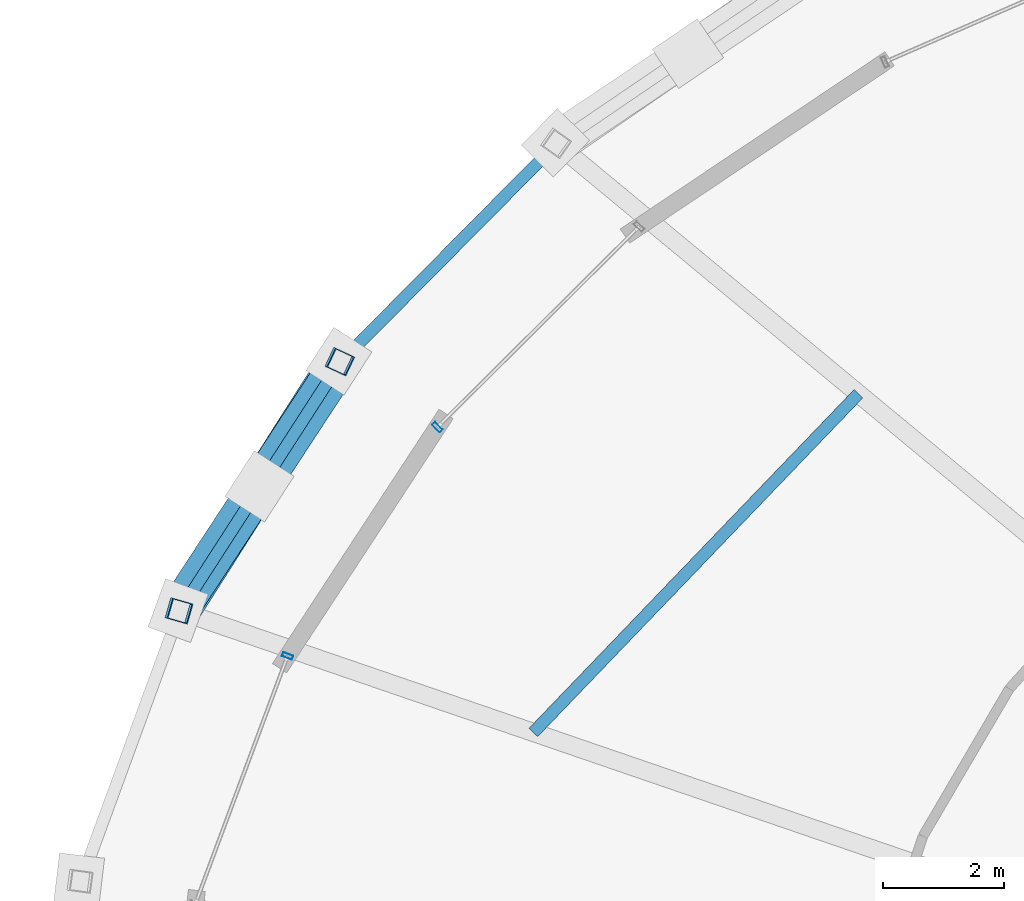
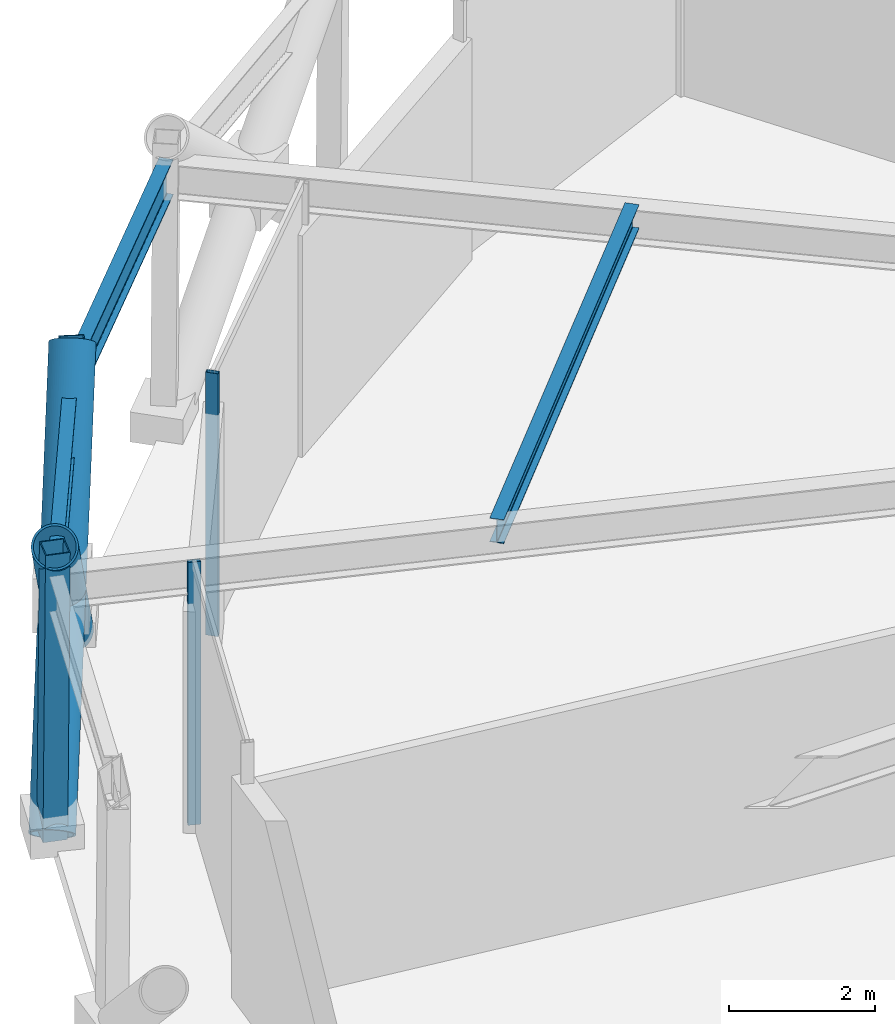
# One storey, part 21 of 39: 7 members, 3 beams, 2 elements without a shape of their own.
"""IFC4 building model written with IfcOpenShell, lengths in metres."""

from ifc_helpers import new_model, si_unit, direction, frame, origin, origin_2d, place, context, subcontext, project, spatial, hollow_rectangle, hollow_circle, i_section, extrude, material, layer, layer_set, material_profile, profile_set, type_object, element, aggregate, save


model = new_model("IFC4")

# Units and contexts
model_context = context("Model", 3, precision=1e-05, world=origin(), true_north=direction((0.0, 1.0)))
body_context = subcontext(model_context, "Body", "Model", "MODEL_VIEW")
ifc_project = project(units=[si_unit("LENGTHUNIT", "METRE"), si_unit("AREAUNIT", "SQUARE_METRE"), si_unit("VOLUMEUNIT", "CUBIC_METRE"), si_unit("PLANEANGLEUNIT", "RADIAN"), si_unit("MASSUNIT", "GRAM", prefix="KILO")], contexts=[model_context])

# Site, building, storey
site_placement = place(None, origin())
site = spatial("IfcSite", under=ifc_project, at=site_placement, CompositionType="ELEMENT")
building_placement = place(site_placement, origin())
building = spatial("IfcBuilding", under=site, at=building_placement, Name="Veldorina Hangang Commons", CompositionType="ELEMENT")
storey_placement = place(building_placement, frame((0.0, 0.0, 106.0)))
storey = spatial("IfcBuildingStorey", under=building, at=storey_placement, Name="L27", CompositionType="ELEMENT", Elevation=106.0)

# Beams
ifc_material_1 = material(Name="Steel SM355-TMC", Category="steel")
ifc_material_profile_1 = material_profile(ifc_material_1, i_section(OverallWidth=0.199951171875, OverallDepth=0.39990234375, WebThickness=0.008056640625, FlangeThickness=0.012939453125, FilletRadius=0.012939453125, at=origin_2d()), Name="H-400x200x8x13")
ifc_profile_set_1 = profile_set([ifc_material_profile_1], Name="Steel SM355-TMC")
beam_type_1 = type_object("IfcBeamType", Name="BM-JST400", PredefinedType="JOIST", material=ifc_profile_set_1)
beam_1_placement = place(storey_placement, frame((16.65966796875, 36.71240234375, 4.239990234375), z_axis=(-0.692478152741, -0.721438845625, 0.0), x_axis=(0.721438845625, -0.692478152741, 0.0)))
element("IfcBeam", 1, at=beam_1_placement, inside=storey, type_object=beam_type_1, Name="L27 secondary floor joist 07", PredefinedType="JOIST", context=body_context, shape_type="SweptSolid", body=[
    extrude(i_section(OverallWidth=0.199951171875, OverallDepth=0.39990234375, WebThickness=0.008056640625, FlangeThickness=0.012939453125, FilletRadius=0.012939453125, at=origin_2d()), origin(), (0.0, 0.0, 1.0), 7.76416015625),
])
ifc_material_2 = material(Name="Steel SM420-TMC", Category="steel")
ifc_material_profile_2 = material_profile(ifc_material_2, i_section(OverallWidth=0.199951171875, OverallDepth=0.60009765625, WebThickness=0.010986328125, FlangeThickness=0.01708984375, FilletRadius=0.01806640625, at=origin_2d()), Name="H-600x200x11x17")
ifc_profile_set_2 = profile_set([ifc_material_profile_2], Name="Steel SM420-TMC")
beam_type_2 = type_object("IfcBeamType", Name="BM-RB600", PredefinedType="BEAM", material=ifc_profile_set_2)
beam_2_placement = place(storey_placement, frame((11.67041015625, 40.846923828125, 4.139892578125), z_axis=(-0.703663003513, -0.710533867938, 0.0), x_axis=(0.710533867938, -0.703663003513, 0.0)))
element("IfcBeam", 2, at=beam_2_placement, inside=storey, type_object=beam_type_2, Name="L27 perimeter hoop ring beam 12", PredefinedType="BEAM", context=body_context, shape_type="SweptSolid", body=[
    extrude(i_section(OverallWidth=0.199951171875, OverallDepth=0.60009765625, WebThickness=0.010986328125, FlangeThickness=0.01708984375, FilletRadius=0.01806640625, at=origin_2d()), origin(), (0.0, 0.0, 1.0), 5.081298828125),
])
beam_3_placement = place(storey_placement, frame((8.094970703125, 37.236572265625, 4.139892578125), z_axis=(-0.542050857771, -0.840345683388, 0.0), x_axis=(0.840345683388, -0.542050857771, 0.0)))
element("IfcBeam", 3, at=beam_3_placement, inside=storey, type_object=beam_type_2, Name="L27 perimeter hoop ring beam 13", PredefinedType="BEAM", context=body_context, shape_type="SweptSolid", body=[
    extrude(i_section(OverallWidth=0.199951171875, OverallDepth=0.60009765625, WebThickness=0.010986328125, FlangeThickness=0.01708984375, FilletRadius=0.01806640625, at=origin_2d()), origin(), (0.0, 0.0, 1.0), 4.901611328125),
])

# Curtain wall, member
ifc_material_3 = material(Name="Glass Acoustic Laminated", Category="glass")
ifc_layer = layer(ifc_material_3, 0.179931640625)
ifc_layer_set = layer_set([ifc_layer], Name="Glass Acoustic Laminated")
curtain_wall_type = type_object("IfcCurtainWallType", Name="CW-SYS-SKY", PredefinedType="NOTDEFINED", material=ifc_layer_set)
curtain_wall_1_placement = place(storey_placement, origin())
curtain_wall_1 = element("IfcCurtainWall", 4, at=curtain_wall_1_placement, inside=storey, type_object=curtain_wall_type, Name="L27 unitised curtain wall CW-L27-R7", PredefinedType="NOTDEFINED")
ifc_material_4 = material(Name="Aluminium Anodized AA6063-T6", Category="aluminium")
ifc_material_profile_3 = material_profile(ifc_material_4, hollow_rectangle(XDim=0.070068359375, YDim=0.179931640625, WallThickness=0.00390625, at=origin_2d()), Name="ALU-RHS-180x70x4")
ifc_profile_set_3 = profile_set([ifc_material_profile_3], Name="Aluminium Anodized AA6063-T6")
member_type_1 = type_object("IfcMemberType", Name="CW-MUL-180", PredefinedType="MULLION", material=ifc_profile_set_3)
member_1_placement = place(storey_placement, frame((9.697509765625, 36.160400390625, 0.0), z_axis=(0.0, 0.0, 1.0), x_axis=(0.709115555697, 0.705092283796, 0.0)))
member_1 = element("IfcMember", 5, at=member_1_placement, type_object=member_type_1, Name="CW-L27-R7 vertical mullion 2", PredefinedType="MULLION", context=body_context, shape_type="SweptSolid", body=[
    extrude(hollow_rectangle(XDim=0.070068359375, YDim=0.179931640625, WallThickness=0.00390625, at=origin_2d()), origin(), (0.0, 0.0, 1.0), 4.39990234375),
])
aggregate(curtain_wall_1, [member_1])

curtain_wall_2_placement = place(storey_placement, origin())
curtain_wall_2 = element("IfcCurtainWall", 6, at=curtain_wall_2_placement, inside=storey, type_object=curtain_wall_type, Name="L27 unitised curtain wall CW-L27-R8", PredefinedType="NOTDEFINED")
member_2_placement = place(storey_placement, frame((7.218994140625, 32.376220703125, 0.0), z_axis=(0.0, 0.0, 1.0), x_axis=(-0.348457534124, -0.937324568606, 0.0)))
member_2 = element("IfcMember", 7, at=member_2_placement, type_object=member_type_1, Name="CW-L27-R8 vertical mullion 1", PredefinedType="MULLION", context=body_context, shape_type="SweptSolid", body=[
    extrude(hollow_rectangle(XDim=0.070068359375, YDim=0.179931640625, WallThickness=0.00390625, at=origin_2d()), origin(), (0.0, 0.0, 1.0), 4.39990234375),
])
aggregate(curtain_wall_2, [member_2])

# Members
ifc_material_5 = material(Name="Steel SM460-TMC", Category="steel")
ifc_material_profile_4 = material_profile(ifc_material_5, hollow_circle(Radius=0.324951171875, WallThickness=0.031982421875, at=origin_2d()), Name="CHS-650x32")
ifc_profile_set_4 = profile_set([ifc_material_profile_4], Name="Steel SM460-TMC")
member_type_2 = type_object("IfcMemberType", Name="DG-CHS650", PredefinedType="BRACE", material=ifc_profile_set_4)
member_3_placement = place(storey_placement, frame((8.06787109375, 37.249267578125, 0.0), z_axis=(-0.382841638249, -0.602783304865, 0.700060402679), x_axis=(0.844135446296, -0.536129973334, 0.0)))
element("IfcMember", 8, at=member_3_placement, inside=storey, type_object=member_type_2, Name="L27 continuous perimeter diagrid brace 13", PredefinedType="BRACE", context=body_context, shape_type="SweptSolid", body=[
    extrude(hollow_circle(Radius=0.324951171875, WallThickness=0.031982421875, at=origin_2d()), origin(), (0.0, 0.0, 1.0), 6.856689453125),
])
member_4_placement = place(storey_placement, frame((5.408203125, 33.126220703125, 0.0), z_axis=(0.391909395982, 0.598203680033, 0.698970230079), x_axis=(-0.836472124272, 0.548009475571, 0.0)))
element("IfcMember", 9, at=member_4_placement, inside=storey, type_object=member_type_2, Name="L27 split perimeter diagrid lower brace 14", PredefinedType="BRACE", context=body_context, shape_type="SweptSolid", body=[
    extrude(hollow_circle(Radius=0.324951171875, WallThickness=0.031982421875, at=origin_2d()), origin(), (0.0, 0.0, 1.0), 3.435546875),
])
member_5_placement = place(storey_placement, frame((6.754638671875, 35.181396484375, 2.4013671875), z_axis=(0.391775469917, 0.598298838206, 0.698963862708), x_axis=(-0.836597904484, 0.547817438763, 0.0)))
element("IfcMember", 10, at=member_5_placement, inside=storey, type_object=member_type_2, Name="L27 split perimeter diagrid upper brace 14", PredefinedType="BRACE", context=body_context, shape_type="SweptSolid", body=[
    extrude(hollow_circle(Radius=0.324951171875, WallThickness=0.031982421875, at=origin_2d()), origin(), (0.0, 0.0, 1.0), 3.431884765625),
])
ifc_material_profile_5 = material_profile(ifc_material_1, hollow_rectangle(XDim=0.35009765625, YDim=0.35009765625, WallThickness=0.01611328125, at=origin_2d()), Name="SHS-350x350x16")
ifc_profile_set_5 = profile_set([ifc_material_profile_5], Name="Steel SM355-TMC")
member_type_3 = type_object("IfcMemberType", Name="STR-SHS350", PredefinedType="STRUT", material=ifc_profile_set_5)
for number, where, z_axis, x_axis, name in (
    (11, (8.06787109375, 37.249267578125, 0.0), (0.006510182161, -0.003051647888, 0.999974152153), (0.424433876231, 0.905458935959, 0.0), "L27 perimeter ring node post 13"),
    (12, (5.408203125, 33.126220703125, 0.0), (0.007222215951, -0.002085287704, 0.999971745187), (0.277400878559, 0.960754262325, 0.0), "L27 perimeter ring node post 14"),
):
    element("IfcMember", number, at=place(storey_placement, frame(where, z_axis=z_axis, x_axis=x_axis)), inside=storey, type_object=member_type_3, Name=name, PredefinedType="STRUT", context=body_context, shape_type="SweptSolid", body=[
        extrude(hollow_rectangle(XDim=0.35009765625, YDim=0.35009765625, WallThickness=0.01611328125, at=origin_2d()), origin(), (0.0, 0.0, 1.0), 4.80029296875),
    ])

save(model, "model.ifc")
